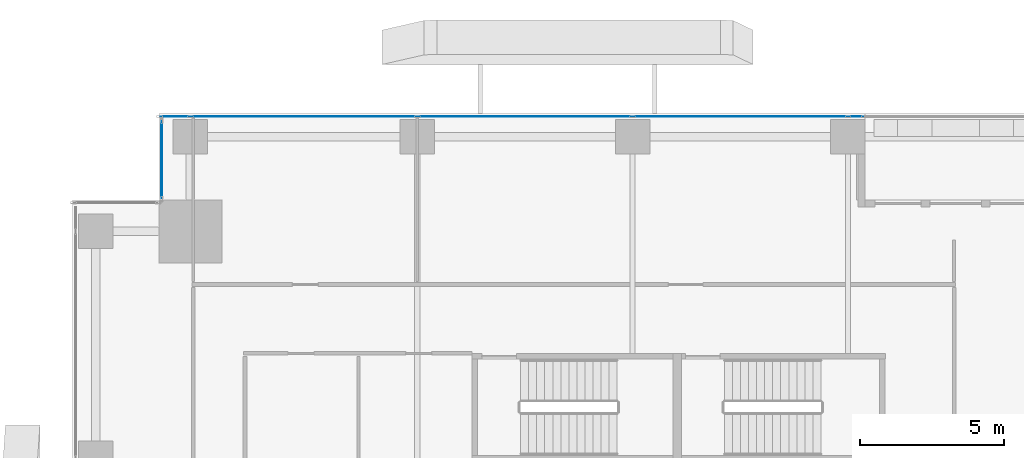
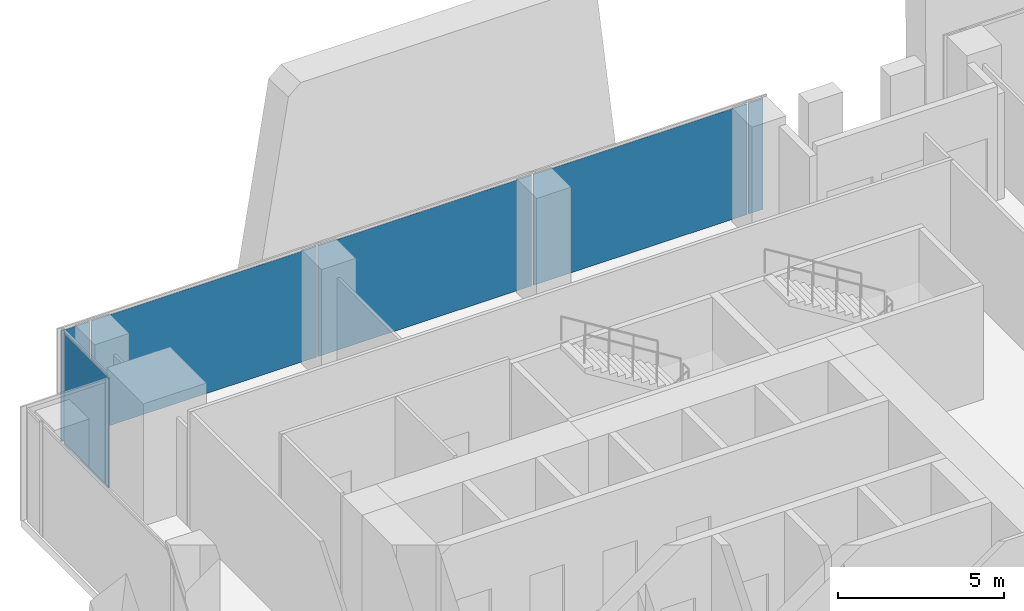
# One storey, part 25 of 34: 6 plates, 2 elements without a shape of their own.
"""IFC4 building model written with IfcOpenShell, lengths in metres."""

from ifc_helpers import new_model, si_unit, direction, frame, origin, origin_2d, place, context, subcontext, project, spatial, rectangle, extrude, source, transform, mapped, material, layer, layer_set, type_object, element, aggregate, save


model = new_model("IFC4")

# Units and contexts
model_context = context("Model", 3, precision=1e-05, world=origin(), true_north=direction((0.0, 1.0)))
body_context = subcontext(model_context, "Body", "Model", "MODEL_VIEW")
ifc_project = project(units=[si_unit("LENGTHUNIT", "METRE"), si_unit("AREAUNIT", "SQUARE_METRE"), si_unit("VOLUMEUNIT", "CUBIC_METRE"), si_unit("PLANEANGLEUNIT", "RADIAN"), si_unit("MASSUNIT", "GRAM", prefix="KILO")], contexts=[model_context])

# Site, building, storey
site_placement = place(None, origin())
site = spatial("IfcSite", under=ifc_project, at=site_placement, CompositionType="ELEMENT")
building_placement = place(site_placement, origin())
building = spatial("IfcBuilding", under=site, at=building_placement, Name="Khomas Fold Tower", CompositionType="ELEMENT")
storey_placement = place(building_placement, frame((0.0, 0.0, 51.0)))
storey = spatial("IfcBuildingStorey", under=building, at=storey_placement, Name="L10", CompositionType="ELEMENT", Elevation=51.0)

# Curtain wall, plates
ifc_material_1 = material(Name="Aluminium framed double glazing", Category="aluminium")
curtain_wall_type = type_object("IfcCurtainWallType", Name="SK-Unitised clear-glass wall, growing floors CW1", PredefinedType="NOTDEFINED", material=ifc_material_1)
curtain_wall_1_placement = place(storey_placement, origin())
curtain_wall_1 = element("IfcCurtainWall", 1, at=curtain_wall_1_placement, inside=storey, type_object=curtain_wall_type, Name="CW1 run L10 06-1", PredefinedType="NOTDEFINED")
ifc_material_2 = material(Name="Clear double glazed unit")
ifc_layer = layer(ifc_material_2, 0.031982421875)
ifc_layer_set = layer_set([ifc_layer], Name="Clear double glazed unit")
plate_type = type_object("IfcPlateType", Name="SK-Unitised clear-glass wall, growing floors glass panel CW1-P", PredefinedType="CURTAIN_PANEL", material=ifc_layer_set)
shared_shape_1 = source(origin(), body_context, "Body", "SweptSolid", [
    extrude(rectangle(XDim=7.840087890625, YDim=0.031982421875, at=origin_2d()), origin(), (0.0, 0.0, 1.0), 4.080078125),
])
plate_1_placement = place(storey_placement, frame((8.050048828125, 53.89990234375, 0.0), z_axis=(0.0, 0.0, 1.0), x_axis=(-1.0, 0.0, 0.0)))
plate_1 = element("IfcPlate", 2, at=plate_1_placement, type_object=plate_type, Name="CW1 glass panel 4", PredefinedType="CURTAIN_PANEL", context=body_context, shape_type="MappedRepresentation", body=[
    mapped(shared_shape_1, transform((0.0, 0.0, 0.0))),
])
shared_shape_2 = source(origin(), body_context, "Body", "SweptSolid", [
    extrude(rectangle(XDim=7.43994140625, YDim=0.031982421875, at=origin_2d()), origin(), (0.0, 0.0, 1.0), 4.080078125),
])
plate_2_placement = place(storey_placement, frame((23.25, 53.89990234375, 0.0), z_axis=(0.0, 0.0, 1.0), x_axis=(-1.0, 0.0, 0.0)))
plate_2 = element("IfcPlate", 3, at=plate_2_placement, type_object=plate_type, Name="CW1 glass panel 2", PredefinedType="CURTAIN_PANEL", context=body_context, shape_type="MappedRepresentation", body=[
    mapped(shared_shape_2, transform((0.0, 0.0, 0.0))),
])
plate_3_placement = place(storey_placement, frame((15.75, 53.89990234375, 0.0), z_axis=(0.0, 0.0, 1.0), x_axis=(-1.0, 0.0, 0.0)))
plate_3 = element("IfcPlate", 4, at=plate_3_placement, type_object=plate_type, Name="CW1 glass panel 3", PredefinedType="CURTAIN_PANEL", context=body_context, shape_type="MappedRepresentation", body=[
    mapped(shared_shape_2, transform((0.0, 0.0, 0.0))),
])
shared_shape_3 = source(origin(), body_context, "Body", "SweptSolid", [
    extrude(rectangle(XDim=1.010009765625, YDim=0.031982421875, at=origin_2d()), origin(), (0.0, 0.0, 1.0), 4.080078125),
])
plate_4_placement = place(storey_placement, frame((3.56494140625, 53.89990234375, 0.0), z_axis=(0.0, 0.0, 1.0), x_axis=(-1.0, 0.0, 0.0)))
plate_4 = element("IfcPlate", 5, at=plate_4_placement, type_object=plate_type, Name="CW1 glass panel 5", PredefinedType="CURTAIN_PANEL", context=body_context, shape_type="MappedRepresentation", body=[
    mapped(shared_shape_3, transform((0.0, 0.0, 0.0))),
])

# Curtain wall, plate
curtain_wall_2_placement = place(storey_placement, origin())
curtain_wall_2 = element("IfcCurtainWall", 6, at=curtain_wall_2_placement, inside=storey, type_object=curtain_wall_type, Name="CW1 corner return L10 07", PredefinedType="NOTDEFINED")
shared_shape_4 = source(origin(), body_context, "Body", "SweptSolid", [
    extrude(rectangle(XDim=2.679931640625, YDim=0.031982421875, at=origin_2d()), origin(), (0.0, 0.0, 1.0), 4.080078125),
])
plate_5_placement = place(storey_placement, frame((3.10009765625, 52.39990234375, 0.0), z_axis=(0.0, 0.0, 1.0), x_axis=(0.0, -1.0, 0.0)))
plate_5 = element("IfcPlate", 7, at=plate_5_placement, type_object=plate_type, Name="CW1 glass panel 1", PredefinedType="CURTAIN_PANEL", context=body_context, shape_type="MappedRepresentation", body=[
    mapped(shared_shape_4, transform((0.0, 0.0, 0.0))),
])
aggregate(curtain_wall_2, [plate_5])

# Plate
shared_shape_5 = source(origin(), body_context, "Body", "SweptSolid", [
    extrude(rectangle(XDim=0.510009765625, YDim=0.031982421875, at=origin_2d()), origin(), (0.0, 0.0, 1.0), 4.080078125),
])
plate_6_placement = place(storey_placement, frame((27.284912109375, 53.89990234375, 0.0), z_axis=(0.0, 0.0, 1.0), x_axis=(-1.0, 0.0, 0.0)))
plate_6 = element("IfcPlate", 8, at=plate_6_placement, type_object=plate_type, Name="CW1 glass panel 1", PredefinedType="CURTAIN_PANEL", context=body_context, shape_type="MappedRepresentation", body=[
    mapped(shared_shape_5, transform((0.0, 0.0, 0.0))),
])

aggregate(curtain_wall_1, [plate_6, plate_2, plate_3, plate_1, plate_4])

save(model, "model.ifc")
